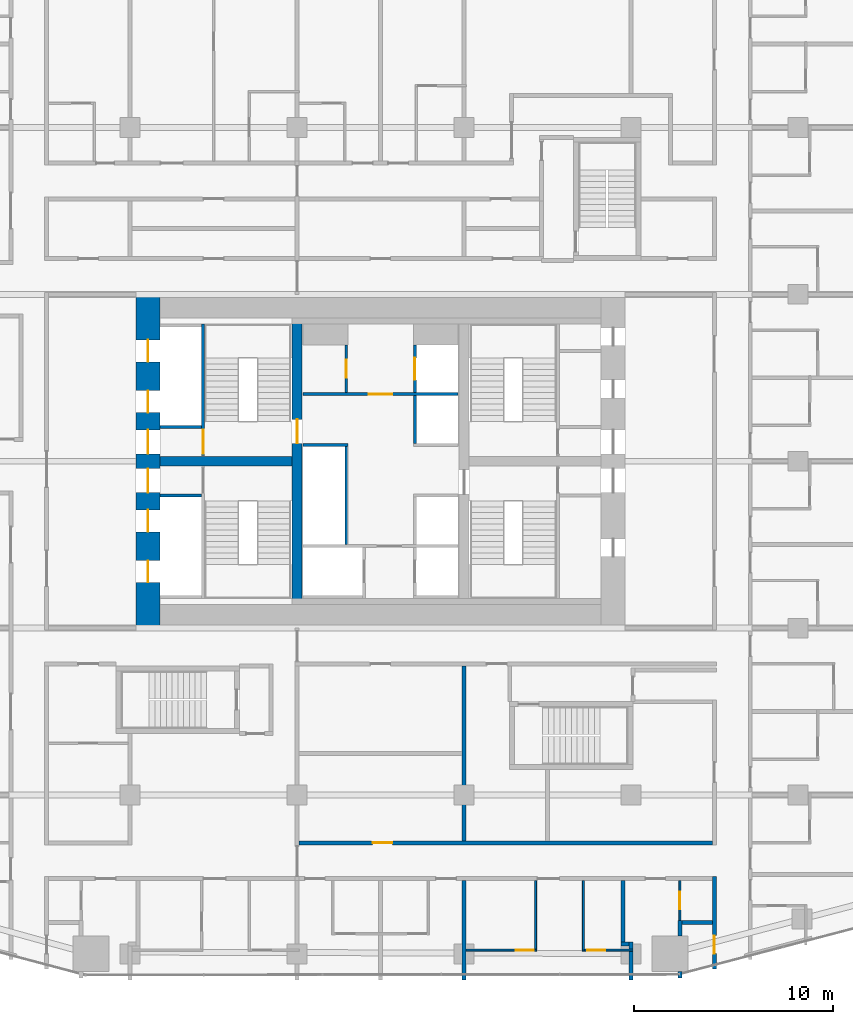
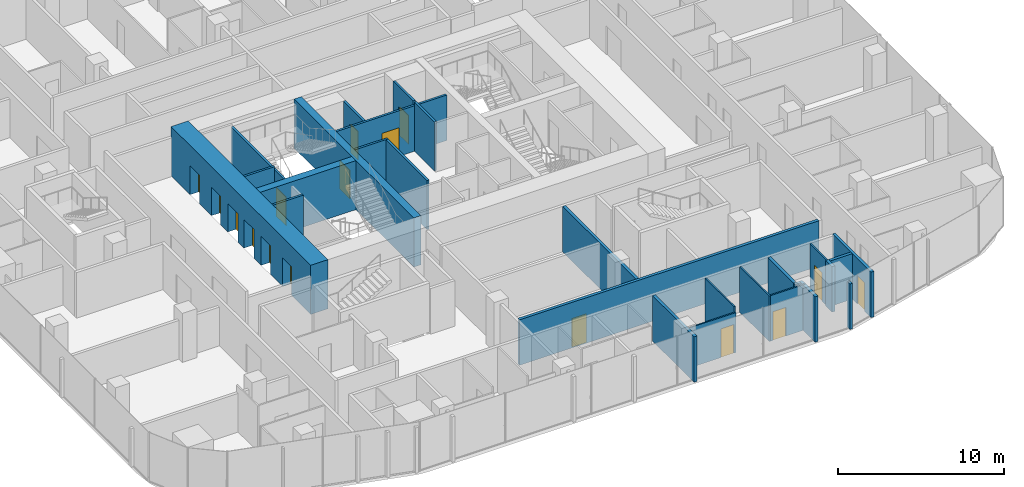
# One storey, part 18 of 26: 27 walls, 16 doors, 16 openings.
"""IFC4 building model written with IfcOpenShell, lengths in metres."""

from ifc_helpers import new_model, si_unit, direction, frame, frame_2d, origin, place, context, subcontext, project, spatial, rectangle, extrude, material, layer, layer_set, type_object, element, fill, save


model = new_model("IFC4")

# Units and contexts
model_context = context("Model", 3, precision=1e-05, world=origin(), true_north=direction((0.0, 1.0)))
body_context = subcontext(model_context, "Body", "Model", "MODEL_VIEW")
ifc_project = project(units=[si_unit("LENGTHUNIT", "METRE"), si_unit("AREAUNIT", "SQUARE_METRE"), si_unit("VOLUMEUNIT", "CUBIC_METRE"), si_unit("PLANEANGLEUNIT", "RADIAN"), si_unit("MASSUNIT", "GRAM", prefix="KILO")], contexts=[model_context])

# Site, building, storey
site_placement = place(None, origin())
site = spatial("IfcSite", under=ifc_project, at=site_placement, CompositionType="ELEMENT")
building_placement = place(site_placement, origin())
building = spatial("IfcBuilding", under=site, at=building_placement, Name="Marenta Gate Hotel Tower", CompositionType="ELEMENT")
storey_placement = place(building_placement, frame((0.0, 0.0, 79.699951171875)))
storey = spatial("IfcBuildingStorey", under=building, at=storey_placement, Name="L18", CompositionType="ELEMENT", Elevation=79.699951171875)

# Wall, opening, door
ifc_material_1 = material(Name="Concrete blockwork", Category="masonry")
ifc_layer_1 = layer(ifc_material_1, 0.14990234375)
ifc_layer_set_1 = layer_set([ifc_layer_1], Name="Concrete blockwork")
wall_type_1 = type_object("IfcWallType", Name="Core lobby partition 150 REI 180", PredefinedType="PARTITIONING", material=ifc_layer_set_1)
wall_1_placement = place(storey_placement, frame((-3.89990234375, 11.77490234375, 0.0), z_axis=(0.0, 0.0, 1.0), x_axis=(1.0, 0.0, 0.0)))
wall_1 = element("IfcWall", 1, at=wall_1_placement, inside=storey, type_object=wall_type_1, Name="L18-CP-CW-N", PredefinedType="PARTITIONING", context=body_context, shape_type="SweptSolid", body=[
    extrude(rectangle(XDim=7.7998046875, YDim=0.14990234375, at=frame_2d((3.89990234375, 0.0))), origin(), (0.0, 0.0, 1.0), 3.340087890625),
])
opening_1_placement = place(wall_1_placement, frame((3.300048828125, 0.0, 0.0)))
opening_1 = element("IfcOpeningElement", 2, at=opening_1_placement, cuts=wall_1, Name="Opening FD-FFN", PredefinedType="OPENING", context=body_context, shape_type="SweptSolid", body=[
    extrude(rectangle(XDim=1.199951171875, YDim=2.10009765625, at=frame_2d((0.60009765625, 1.050048828125))), frame((0.0, 0.074951171875, 0.0), z_axis=(0.0, -1.0, 0.0), x_axis=(1.0, 0.0, 0.0)), (0.0, 0.0, 1.0), 0.14990234375),
])
ifc_material_2 = material(Name="Steel", Category="steel")
door_type_1 = type_object("IfcDoorType", Name="Core lobby door 1200x2100 FD60", OperationType="SINGLE_SWING_LEFT", PredefinedType="DOOR", material=ifc_material_2)
door_1_placement = place(opening_1_placement, origin())
door_1 = element("IfcDoor", 3, at=door_1_placement, inside=storey, type_object=door_type_1, Name="FD-FFN", OperationType="SINGLE_SWING_LEFT", OverallHeight=2.10009765625, OverallWidth=1.199951171875, PredefinedType="DOOR", context=body_context, shape_type="SweptSolid", body=[
    extrude(rectangle(XDim=1.199951171875, YDim=2.10009765625, at=frame_2d((0.60009765625, 1.050048828125))), frame((0.0, 0.02490234375, 0.0), z_axis=(0.0, -1.0, 0.0), x_axis=(1.0, 0.0, 0.0)), (0.0, 0.0, 1.0), 0.050048828125),
])
fill(opening_1, door_1)

ifc_material_3 = material(Name="Concrete blockwork", Category="masonry")
ifc_layer_2 = layer(ifc_material_3, 0.14990234375)
ifc_layer_set_2 = layer_set([ifc_layer_2], Name="Concrete blockwork")
wall_type_2 = type_object("IfcWallType", Name="Core room partition 150 REI 180", PredefinedType="PARTITIONING", material=ifc_layer_set_2)
wall_2_placement = place(storey_placement, frame((-1.72509765625, 11.85009765625, 0.0), z_axis=(0.0, 0.0, 1.0), x_axis=(0.0, 1.0, 0.0)))
wall_2 = element("IfcWall", 4, at=wall_2_placement, inside=storey, type_object=wall_type_2, Name="L18-CP-CW-W-riser-front", PredefinedType="PARTITIONING", context=body_context, shape_type="SweptSolid", body=[
    extrude(rectangle(XDim=2.39990234375, YDim=0.14990234375, at=frame_2d((1.199951171875, 0.0))), origin(), (0.0, 0.0, 1.0), 3.340087890625),
])
opening_2_placement = place(wall_2_placement, frame((0.75, 0.0, 0.0)))
opening_2 = element("IfcOpeningElement", 5, at=opening_2_placement, cuts=wall_2, Name="Opening RD-CRISER", PredefinedType="OPENING", context=body_context, shape_type="SweptSolid", body=[
    extrude(rectangle(XDim=0.89990234375, YDim=2.10009765625, at=frame_2d((0.449951171875, 1.050048828125))), frame((0.0, 0.074951171875, 0.0), z_axis=(0.0, -1.0, 0.0), x_axis=(1.0, 0.0, 0.0)), (0.0, 0.0, 1.0), 0.14990234375),
])
ifc_material_4 = material(Name="Steel", Category="steel")
door_type_2 = type_object("IfcDoorType", Name="Core riser door 900x2100 FD60", OperationType="SINGLE_SWING_LEFT", PredefinedType="DOOR", material=ifc_material_4)
door_2_placement = place(opening_2_placement, origin())
door_2 = element("IfcDoor", 6, at=door_2_placement, inside=storey, type_object=door_type_2, Name="RD-CRISER", OperationType="SINGLE_SWING_LEFT", OverallHeight=2.10009765625, OverallWidth=0.89990234375, PredefinedType="DOOR", context=body_context, shape_type="SweptSolid", body=[
    extrude(rectangle(XDim=0.89990234375, YDim=2.10009765625, at=frame_2d((0.449951171875, 1.050048828125))), frame((0.0, 0.02490234375, 0.0), z_axis=(0.0, -1.0, 0.0), x_axis=(1.0, 0.0, 0.0)), (0.0, 0.0, 1.0), 0.050048828125),
])
fill(opening_2, door_2)

# Walls
ifc_material_5 = material(Name="Concrete C40", Category="concrete")
ifc_layer_3 = layer(ifc_material_5, 0.14990234375)
ifc_layer_set_3 = layer_set([ifc_layer_3], Name="Concrete C40")
wall_type_3 = type_object("IfcWallType", Name="Core shaft wall 150 REI 180", PredefinedType="SHEAR", material=ifc_layer_set_3)
for number, where, z_axis, x_axis, name in (
    (7, (-11.10009765625, 6.675048828125, 0.0), (0.0, 0.0, 1.0), (1.0, 0.0, 0.0), "L18-SHF-SW-WS-2"),
    (8, (-11.10009765625, 10.125, 0.0), (0.0, 0.0, 1.0), (1.0, 0.0, 0.0), "L18-SHF-SW-WN-2"),
):
    element("IfcWall", number, at=place(storey_placement, frame(where, z_axis=z_axis, x_axis=x_axis)), inside=storey, type_object=wall_type_3, Name=name, PredefinedType="SHEAR", context=body_context, shape_type="SweptSolid", body=[
        extrude(rectangle(XDim=2.10009765625, YDim=0.14990234375, at=frame_2d((1.050048828125, 0.0))), origin(), (0.0, 0.0, 1.0), 3.60009765625),
    ])
wall_3_placement = place(storey_placement, frame((-1.72509765625, 4.199951171875, 0.0), z_axis=(0.0, 0.0, 1.0), x_axis=(0.0, 1.0, 0.0)))
element("IfcWall", 9, at=wall_3_placement, inside=storey, type_object=wall_type_3, Name="L18-SHF-CW-W-front", PredefinedType="SHEAR", context=body_context, shape_type="SweptSolid", body=[
    extrude(rectangle(XDim=4.949951171875, YDim=0.14990234375, at=frame_2d((2.47509765625, 0.0))), origin(), (0.0, 0.0, 1.0), 3.60009765625),
])
wall_4_placement = place(storey_placement, frame((-3.89990234375, 9.22509765625, 0.0), z_axis=(0.0, 0.0, 1.0), x_axis=(1.0, 0.0, 0.0)))
element("IfcWall", 10, at=wall_4_placement, inside=storey, type_object=wall_type_3, Name="L18-SHF-CW-W-sep", PredefinedType="SHEAR", context=body_context, shape_type="SweptSolid", body=[
    extrude(rectangle(XDim=2.25, YDim=0.14990234375, at=frame_2d((1.125, 0.0))), origin(), (0.0, 0.0, 1.0), 3.60009765625),
])

# Wall, opening, door
wall_5_placement = place(storey_placement, frame((1.72509765625, 11.85009765625, 0.0), z_axis=(0.0, 0.0, 1.0), x_axis=(0.0, 1.0, 0.0)))
wall_5 = element("IfcWall", 11, at=wall_5_placement, inside=storey, type_object=wall_type_3, Name="L18-SHF-CE-N-front2", PredefinedType="SHEAR", context=body_context, shape_type="SweptSolid", body=[
    extrude(rectangle(XDim=2.39990234375, YDim=0.14990234375, at=frame_2d((1.199951171875, 0.0))), origin(), (0.0, 0.0, 1.0), 3.60009765625),
])
opening_3_placement = place(wall_5_placement, frame((0.64990234375, 0.0, 0.0)))
opening_3 = element("IfcOpeningElement", 12, at=opening_3_placement, cuts=wall_5, Name="Opening LD-FF2", PredefinedType="OPENING", context=body_context, shape_type="SweptSolid", body=[
    extrude(rectangle(XDim=1.10009765625, YDim=2.10009765625, at=frame_2d((0.550048828125, 1.050048828125))), frame((0.0, 0.074951171875, 0.0), z_axis=(0.0, -1.0, 0.0), x_axis=(1.0, 0.0, 0.0)), (0.0, 0.0, 1.0), 0.14990234375),
])
ifc_material_6 = material(Name="Steel", Category="steel")
door_type_3 = type_object("IfcDoorType", Name="Core lift landing door 1100x2100 E 60", OperationType="SLIDING_TO_LEFT", PredefinedType="DOOR", material=ifc_material_6)
door_3_placement = place(opening_3_placement, origin())
door_3 = element("IfcDoor", 13, at=door_3_placement, inside=storey, type_object=door_type_3, Name="LD-FF2", OperationType="SLIDING_TO_LEFT", OverallHeight=2.10009765625, OverallWidth=1.10009765625, PredefinedType="DOOR", context=body_context, shape_type="SweptSolid", body=[
    extrude(rectangle(XDim=1.10009765625, YDim=2.10009765625, at=frame_2d((0.550048828125, 1.050048828125))), frame((0.0, 0.02490234375, 0.0), z_axis=(0.0, -1.0, 0.0), x_axis=(1.0, 0.0, 0.0)), (0.0, 0.0, 1.0), 0.050048828125),
])
fill(opening_3, door_3)

# Wall
wall_6_placement = place(storey_placement, frame((1.72509765625, 9.300048828125, 0.0), z_axis=(0.0, 0.0, 1.0), x_axis=(0.0, 1.0, 0.0)))
element("IfcWall", 14, at=wall_6_placement, inside=storey, type_object=wall_type_3, Name="L18-SHF-CE-front-2", PredefinedType="SHEAR", context=body_context, shape_type="SweptSolid", body=[
    extrude(rectangle(XDim=2.39990234375, YDim=0.14990234375, at=frame_2d((1.199951171875, 0.0))), origin(), (0.0, 0.0, 1.0), 3.60009765625),
])

# Wall, opening, door
ifc_material_7 = material(Name="Concrete C40", Category="concrete")
ifc_layer_4 = layer(ifc_material_7, 0.14990234375)
ifc_layer_set_4 = layer_set([ifc_layer_4], Name="Concrete C40")
wall_type_4 = type_object("IfcWallType", Name="Core stair enclosure wall 150 REI 180", PredefinedType="SHEAR", material=ifc_layer_set_4)
wall_7_placement = place(storey_placement, frame((-8.925048828125, 8.699951171875, 0.0), z_axis=(0.0, 0.0, 1.0), x_axis=(0.0, 1.0, 0.0)))
wall_7 = element("IfcWall", 15, at=wall_7_placement, inside=storey, type_object=wall_type_4, Name="L18-SHF-SW-WN-3", PredefinedType="SHEAR", context=body_context, shape_type="SweptSolid", body=[
    extrude(rectangle(XDim=6.60009765625, YDim=0.14990234375, at=frame_2d((3.300048828125, 0.0))), origin(), (0.0, 0.0, 1.0), 3.340087890625),
])
opening_4_placement = place(wall_7_placement, frame((0.074951171875, 0.0, 0.0)))
opening_4 = element("IfcOpeningElement", 16, at=opening_4_placement, cuts=wall_7, Name="Opening SD-WN", PredefinedType="OPENING", context=body_context, shape_type="SweptSolid", body=[
    extrude(rectangle(XDim=1.199951171875, YDim=2.10009765625, at=frame_2d((0.60009765625, 1.050048828125))), frame((0.0, 0.074951171875, 0.0), z_axis=(0.0, -1.0, 0.0), x_axis=(1.0, 0.0, 0.0)), (0.0, 0.0, 1.0), 0.14990234375),
])
ifc_material_8 = material(Name="Steel", Category="steel")
door_type_4 = type_object("IfcDoorType", Name="Core stair door 1200x2100 FD60", OperationType="SINGLE_SWING_LEFT", PredefinedType="DOOR", material=ifc_material_8)
door_4_placement = place(opening_4_placement, origin())
door_4 = element("IfcDoor", 17, at=door_4_placement, inside=storey, type_object=door_type_4, Name="SD-WN", OperationType="SINGLE_SWING_LEFT", OverallHeight=2.10009765625, OverallWidth=1.199951171875, PredefinedType="DOOR", context=body_context, shape_type="SweptSolid", body=[
    extrude(rectangle(XDim=1.199951171875, YDim=2.10009765625, at=frame_2d((0.60009765625, 1.050048828125))), frame((0.0, 0.02490234375, 0.0), z_axis=(0.0, -1.0, 0.0), x_axis=(1.0, 0.0, 0.0)), (0.0, 0.0, 1.0), 0.050048828125),
])
fill(opening_4, door_4)

# Wall, openings, doors
ifc_material_9 = material(Name="Concrete C80", Category="concrete")
ifc_layer_5 = layer(ifc_material_9, 1.199951171875)
ifc_layer_set_5 = layer_set([ifc_layer_5], Name="Concrete C80")
wall_type_5 = type_object("IfcWallType", Name="Core wall 1200 C80", PredefinedType="SHEAR", material=ifc_layer_set_5)
wall_8_placement = place(storey_placement, frame((-11.699951171875, 0.0, 0.0), z_axis=(0.0, 0.0, 1.0), x_axis=(0.0, 1.0, 0.0)))
wall_8 = element("IfcWall", 18, at=wall_8_placement, inside=storey, type_object=wall_type_5, Name="L18-CORE-W", PredefinedType="SHEAR", context=body_context, shape_type="SweptSolid", body=[
    extrude(rectangle(XDim=16.800048828125, YDim=1.199951171875, at=frame_2d((8.39990234375, 0.0))), origin(), (0.0, 0.0, 1.0), 3.60009765625),
])
opening_5_placement = place(wall_8_placement, frame((2.300048828125, 0.0, 0.0)))
opening_5 = element("IfcOpeningElement", 19, at=opening_5_placement, cuts=wall_8, Name="Opening LD-LR1", PredefinedType="OPENING", context=body_context, shape_type="SweptSolid", body=[
    extrude(rectangle(XDim=1.10009765625, YDim=2.10009765625, at=frame_2d((0.550048828125, 1.050048828125))), frame((0.0, 0.60009765625, 0.0), z_axis=(0.0, -1.0, 0.0), x_axis=(1.0, 0.0, 0.0)), (0.0, 0.0, 1.0), 1.199951171875),
])
opening_6_placement = place(wall_8_placement, frame((4.85009765625, 0.0, 0.0)))
opening_6 = element("IfcOpeningElement", 20, at=opening_6_placement, cuts=wall_8, Name="Opening LD-LR2", PredefinedType="OPENING", context=body_context, shape_type="SweptSolid", body=[
    extrude(rectangle(XDim=1.10009765625, YDim=2.10009765625, at=frame_2d((0.550048828125, 1.050048828125))), frame((0.0, 0.60009765625, 0.0), z_axis=(0.0, -1.0, 0.0), x_axis=(1.0, 0.0, 0.0)), (0.0, 0.0, 1.0), 1.199951171875),
])
opening_7_placement = place(wall_8_placement, frame((6.824951171875, 0.0, 0.0)))
opening_7 = element("IfcOpeningElement", 21, at=opening_7_placement, cuts=wall_8, Name="Opening PD-WS", PredefinedType="OPENING", context=body_context, shape_type="SweptSolid", body=[
    extrude(rectangle(XDim=1.199951171875, YDim=2.10009765625, at=frame_2d((0.60009765625, 1.050048828125))), frame((0.0, 0.60009765625, 0.0), z_axis=(0.0, -1.0, 0.0), x_axis=(1.0, 0.0, 0.0)), (0.0, 0.0, 1.0), 1.199951171875),
])
opening_8_placement = place(wall_8_placement, frame((13.39990234375, 0.0, 0.0)))
opening_8 = element("IfcOpeningElement", 22, at=opening_8_placement, cuts=wall_8, Name="Opening LD-LR4", PredefinedType="OPENING", context=body_context, shape_type="SweptSolid", body=[
    extrude(rectangle(XDim=1.10009765625, YDim=2.10009765625, at=frame_2d((0.550048828125, 1.050048828125))), frame((0.0, 0.60009765625, 0.0), z_axis=(0.0, -1.0, 0.0), x_axis=(1.0, 0.0, 0.0)), (0.0, 0.0, 1.0), 1.199951171875),
])
opening_9_placement = place(wall_8_placement, frame((10.85009765625, 0.0, 0.0)))
opening_9 = element("IfcOpeningElement", 23, at=opening_9_placement, cuts=wall_8, Name="Opening LD-LR3", PredefinedType="OPENING", context=body_context, shape_type="SweptSolid", body=[
    extrude(rectangle(XDim=1.10009765625, YDim=2.10009765625, at=frame_2d((0.550048828125, 1.050048828125))), frame((0.0, 0.60009765625, 0.0), z_axis=(0.0, -1.0, 0.0), x_axis=(1.0, 0.0, 0.0)), (0.0, 0.0, 1.0), 1.199951171875),
])
opening_10_placement = place(wall_8_placement, frame((8.77490234375, 0.0, 0.0)))
opening_10 = element("IfcOpeningElement", 24, at=opening_10_placement, cuts=wall_8, Name="Opening PD-WN", PredefinedType="OPENING", context=body_context, shape_type="SweptSolid", body=[
    extrude(rectangle(XDim=1.199951171875, YDim=2.10009765625, at=frame_2d((0.60009765625, 1.050048828125))), frame((0.0, 0.60009765625, 0.0), z_axis=(0.0, -1.0, 0.0), x_axis=(1.0, 0.0, 0.0)), (0.0, 0.0, 1.0), 1.199951171875),
])
door_5_placement = place(opening_5_placement, origin())
door_5 = element("IfcDoor", 25, at=door_5_placement, inside=storey, type_object=door_type_3, Name="LD-LR1", OperationType="SLIDING_TO_LEFT", OverallHeight=2.10009765625, OverallWidth=1.10009765625, PredefinedType="DOOR", context=body_context, shape_type="SweptSolid", body=[
    extrude(rectangle(XDim=1.10009765625, YDim=2.10009765625, at=frame_2d((0.550048828125, 1.050048828125))), frame((0.0, 0.02490234375, 0.0), z_axis=(0.0, -1.0, 0.0), x_axis=(1.0, 0.0, 0.0)), (0.0, 0.0, 1.0), 0.050048828125),
])
fill(opening_5, door_5)
door_6_placement = place(opening_6_placement, origin())
door_6 = element("IfcDoor", 26, at=door_6_placement, inside=storey, type_object=door_type_3, Name="LD-LR2", OperationType="SLIDING_TO_LEFT", OverallHeight=2.10009765625, OverallWidth=1.10009765625, PredefinedType="DOOR", context=body_context, shape_type="SweptSolid", body=[
    extrude(rectangle(XDim=1.10009765625, YDim=2.10009765625, at=frame_2d((0.550048828125, 1.050048828125))), frame((0.0, 0.02490234375, 0.0), z_axis=(0.0, -1.0, 0.0), x_axis=(1.0, 0.0, 0.0)), (0.0, 0.0, 1.0), 0.050048828125),
])
fill(opening_6, door_6)
door_7_placement = place(opening_8_placement, origin())
door_7 = element("IfcDoor", 27, at=door_7_placement, inside=storey, type_object=door_type_3, Name="LD-LR4", OperationType="SLIDING_TO_LEFT", OverallHeight=2.10009765625, OverallWidth=1.10009765625, PredefinedType="DOOR", context=body_context, shape_type="SweptSolid", body=[
    extrude(rectangle(XDim=1.10009765625, YDim=2.10009765625, at=frame_2d((0.550048828125, 1.050048828125))), frame((0.0, 0.02490234375, 0.0), z_axis=(0.0, -1.0, 0.0), x_axis=(1.0, 0.0, 0.0)), (0.0, 0.0, 1.0), 0.050048828125),
])
fill(opening_8, door_7)
door_8_placement = place(opening_9_placement, origin())
door_8 = element("IfcDoor", 28, at=door_8_placement, inside=storey, type_object=door_type_3, Name="LD-LR3", OperationType="SLIDING_TO_LEFT", OverallHeight=2.10009765625, OverallWidth=1.10009765625, PredefinedType="DOOR", context=body_context, shape_type="SweptSolid", body=[
    extrude(rectangle(XDim=1.10009765625, YDim=2.10009765625, at=frame_2d((0.550048828125, 1.050048828125))), frame((0.0, 0.02490234375, 0.0), z_axis=(0.0, -1.0, 0.0), x_axis=(1.0, 0.0, 0.0)), (0.0, 0.0, 1.0), 0.050048828125),
])
fill(opening_9, door_8)
door_9_placement = place(opening_7_placement, origin())
door_9 = element("IfcDoor", 29, at=door_9_placement, inside=storey, type_object=door_type_1, Name="PD-WS", OperationType="SINGLE_SWING_LEFT", OverallHeight=2.10009765625, OverallWidth=1.199951171875, PredefinedType="DOOR", context=body_context, shape_type="SweptSolid", body=[
    extrude(rectangle(XDim=1.199951171875, YDim=2.10009765625, at=frame_2d((0.60009765625, 1.050048828125))), frame((0.0, 0.02490234375, 0.0), z_axis=(0.0, -1.0, 0.0), x_axis=(1.0, 0.0, 0.0)), (0.0, 0.0, 1.0), 0.050048828125),
])
fill(opening_7, door_9)
door_10_placement = place(opening_10_placement, origin())
door_10 = element("IfcDoor", 30, at=door_10_placement, inside=storey, type_object=door_type_1, Name="PD-WN", OperationType="SINGLE_SWING_LEFT", OverallHeight=2.10009765625, OverallWidth=1.199951171875, PredefinedType="DOOR", context=body_context, shape_type="SweptSolid", body=[
    extrude(rectangle(XDim=1.199951171875, YDim=2.10009765625, at=frame_2d((0.60009765625, 1.050048828125))), frame((0.0, 0.02490234375, 0.0), z_axis=(0.0, -1.0, 0.0), x_axis=(1.0, 0.0, 0.0)), (0.0, 0.0, 1.0), 0.050048828125),
])
fill(opening_10, door_10)

# Wall, opening, door
ifc_material_10 = material(Name="Concrete C80", Category="concrete")
ifc_layer_6 = layer(ifc_material_10, 0.5)
ifc_layer_set_6 = layer_set([ifc_layer_6], Name="Concrete C80")
wall_type_6 = type_object("IfcWallType", Name="Core web 500 C80", PredefinedType="SHEAR", material=ifc_layer_set_6)
wall_9_placement = place(storey_placement, frame((-4.199951171875, 1.199951171875, 0.0), z_axis=(0.0, 0.0, 1.0), x_axis=(0.0, 1.0, 0.0)))
wall_9 = element("IfcWall", 31, at=wall_9_placement, inside=storey, type_object=wall_type_6, Name="L18-CORE-W1", PredefinedType="SHEAR", context=body_context, shape_type="SweptSolid", body=[
    extrude(rectangle(XDim=14.400146484375, YDim=0.5, at=frame_2d((7.2001953125, 0.0))), origin(), (0.0, 0.0, 1.0), 3.60009765625),
])
opening_11_placement = place(wall_9_placement, frame((8.10009765625, 0.0, 0.0)))
opening_11 = element("IfcOpeningElement", 32, at=opening_11_placement, cuts=wall_9, Name="Opening WD-W", PredefinedType="OPENING", context=body_context, shape_type="SweptSolid", body=[
    extrude(rectangle(XDim=1.199951171875, YDim=2.10009765625, at=frame_2d((0.60009765625, 1.050048828125))), frame((0.0, 0.25, 0.0), z_axis=(0.0, -1.0, 0.0), x_axis=(1.0, 0.0, 0.0)), (0.0, 0.0, 1.0), 0.5),
])
door_11_placement = place(opening_11_placement, origin())
door_11 = element("IfcDoor", 33, at=door_11_placement, inside=storey, type_object=door_type_4, Name="WD-W", OperationType="SINGLE_SWING_LEFT", OverallHeight=2.10009765625, OverallWidth=1.199951171875, PredefinedType="DOOR", context=body_context, shape_type="SweptSolid", body=[
    extrude(rectangle(XDim=1.199951171875, YDim=2.10009765625, at=frame_2d((0.60009765625, 1.050048828125))), frame((0.0, 0.02490234375, 0.0), z_axis=(0.0, -1.0, 0.0), x_axis=(1.0, 0.0, 0.0)), (0.0, 0.0, 1.0), 0.050048828125),
])
fill(opening_11, door_11)

# Wall
wall_10_placement = place(storey_placement, frame((-11.10009765625, 8.39990234375, 0.0), z_axis=(0.0, 0.0, 1.0), x_axis=(1.0, 0.0, 0.0)))
element("IfcWall", 34, at=wall_10_placement, inside=storey, type_object=wall_type_6, Name="L18-CORE-W3", PredefinedType="SHEAR", context=body_context, shape_type="SweptSolid", body=[
    extrude(rectangle(XDim=6.650146484375, YDim=0.5, at=frame_2d((3.3251953125, 0.0))), origin(), (0.0, 0.0, 1.0), 3.60009765625),
])

# Wall, opening, door
ifc_material_11 = material(Name="Concrete blockwork", Category="masonry")
ifc_layer_7 = layer(ifc_material_11, 0.199951171875)
ifc_layer_set_7 = layer_set([ifc_layer_7], Name="Concrete blockwork")
wall_type_7 = type_object("IfcWallType", Name="Room corridor wall 200 EI 120", PredefinedType="PARTITIONING", material=ifc_layer_set_7)
wall_11_placement = place(storey_placement, frame((16.800048828125, -17.14306640625, 0.0), z_axis=(0.0, 0.0, 1.0), x_axis=(0.0, 1.0, 0.0)))
wall_11 = element("IfcWall", 35, at=wall_11_placement, inside=storey, type_object=wall_type_7, Name="L18-PTN-W016", PredefinedType="PARTITIONING", context=body_context, shape_type="SweptSolid", body=[
    extrude(rectangle(XDim=4.64306640625, YDim=0.199951171875, at=frame_2d((2.321533203125, 0.0))), origin(), (0.0, 0.0, 1.0), 3.340087890625),
])
opening_12_placement = place(wall_11_placement, frame((0.77099609375, 0.0, 0.0)))
opening_12 = element("IfcOpeningElement", 36, at=opening_12_placement, cuts=wall_11, Name="Opening G07-81", PredefinedType="OPENING", context=body_context, shape_type="SweptSolid", body=[
    extrude(rectangle(XDim=0.89990234375, YDim=2.10009765625, at=frame_2d((0.449951171875, 1.050048828125))), frame((0.0, 0.10009765625, 0.0), z_axis=(0.0, -1.0, 0.0), x_axis=(1.0, 0.0, 0.0)), (0.0, 0.0, 1.0), 0.199951171875),
])
ifc_material_12 = material(Name="Hollow steel door set", Category="steel")
door_type_5 = type_object("IfcDoorType", Name="Room service door 900x2100 EI 60", OperationType="NOTDEFINED", PredefinedType="DOOR", material=ifc_material_12)
door_12_placement = place(opening_12_placement, origin())
door_12 = element("IfcDoor", 37, at=door_12_placement, inside=storey, type_object=door_type_5, Name="L18-PD-D081", OperationType="SINGLE_SWING_RIGHT", OverallHeight=2.10009765625, OverallWidth=0.89990234375, PredefinedType="DOOR", context=body_context, shape_type="SweptSolid", body=[
    extrude(rectangle(XDim=0.89990234375, YDim=2.10009765625, at=frame_2d((0.449951171875, 1.050048828125))), frame((0.0, 0.02490234375, 0.0), z_axis=(0.0, -1.0, 0.0), x_axis=(1.0, 0.0, 0.0)), (0.0, 0.0, 1.0), 0.050048828125),
])
fill(opening_12, door_12)

ifc_material_13 = material(Name="Gypsum board on steel stud", Category="steel")
ifc_layer_8 = layer(ifc_material_13, 0.199951171875)
ifc_layer_set_8 = layer_set([ifc_layer_8], Name="Gypsum board on steel stud")
wall_type_8 = type_object("IfcWallType", Name="Room corridor wall 200 EI 60", PredefinedType="PARTITIONING", material=ifc_layer_set_8)
wall_12_placement = place(storey_placement, frame((-4.10009765625, -10.800048828125, 0.0), z_axis=(0.0, 0.0, 1.0), x_axis=(1.0, 0.0, 0.0)))
wall_12 = element("IfcWall", 38, at=wall_12_placement, inside=storey, type_object=wall_type_8, Name="L18-PTN-W043", PredefinedType="PARTITIONING", context=body_context, shape_type="SweptSolid", body=[
    extrude(rectangle(XDim=20.800048828125, YDim=0.199951171875, at=frame_2d((10.39990234375, 0.0))), origin(), (0.0, 0.0, 1.0), 3.340087890625),
])
opening_13_placement = place(wall_12_placement, frame((3.699951171875, 0.0, 0.0)))
opening_13 = element("IfcOpeningElement", 39, at=opening_13_placement, cuts=wall_12, Name="Opening G07-70", PredefinedType="OPENING", context=body_context, shape_type="SweptSolid", body=[
    extrude(rectangle(XDim=1.0, YDim=2.10009765625, at=frame_2d((0.5, 1.050048828125))), frame((0.0, 0.10009765625, 0.0), z_axis=(0.0, -1.0, 0.0), x_axis=(1.0, 0.0, 0.0)), (0.0, 0.0, 1.0), 0.199951171875),
])
ifc_material_14 = material(Name="Timber door leaf", Category="wood")
door_type_6 = type_object("IfcDoorType", Name="Room amenity door 1000x2100 EI 30", OperationType="NOTDEFINED", PredefinedType="DOOR", material=ifc_material_14)
door_13_placement = place(opening_13_placement, origin())
door_13 = element("IfcDoor", 40, at=door_13_placement, inside=storey, type_object=door_type_6, Name="L18-PD-D070", OperationType="SINGLE_SWING_RIGHT", OverallHeight=2.10009765625, OverallWidth=1.0, PredefinedType="DOOR", context=body_context, shape_type="SweptSolid", body=[
    extrude(rectangle(XDim=1.0, YDim=2.10009765625, at=frame_2d((0.5, 1.050048828125))), frame((0.0, 0.02490234375, 0.0), z_axis=(0.0, -1.0, 0.0), x_axis=(1.0, 0.0, 0.0)), (0.0, 0.0, 1.0), 0.050048828125),
])
fill(opening_13, door_13)

ifc_material_15 = material(Name="Gypsum board on steel stud", Category="steel")
ifc_layer_9 = layer(ifc_material_15, 0.10009765625)
ifc_layer_set_9 = layer_set([ifc_layer_9], Name="Gypsum board on steel stud")
wall_type_9 = type_object("IfcWallType", Name="Room partition 100", PredefinedType="PARTITIONING", material=ifc_layer_set_9)
wall_13_placement = place(storey_placement, frame((4.300048828125, -16.199951171875, 0.0), z_axis=(0.0, 0.0, 1.0), x_axis=(1.0, 0.0, 0.0)))
wall_13 = element("IfcWall", 41, at=wall_13_placement, inside=storey, type_object=wall_type_9, Name="L18-PTN-W022", PredefinedType="PARTITIONING", context=body_context, shape_type="SweptSolid", body=[
    extrude(rectangle(XDim=3.550048828125, YDim=0.10009765625, at=frame_2d((1.77490234375, 0.0))), origin(), (0.0, 0.0, 1.0), 2.93994140625),
])
opening_14_placement = place(wall_13_placement, frame((2.5, 0.0, 0.0)))
opening_14 = element("IfcOpeningElement", 42, at=opening_14_placement, cuts=wall_13, Name="Opening G07-49", PredefinedType="OPENING", context=body_context, shape_type="SweptSolid", body=[
    extrude(rectangle(XDim=0.89990234375, YDim=2.10009765625, at=frame_2d((0.449951171875, 1.050048828125))), frame((0.0, 0.050048828125, 0.0), z_axis=(0.0, -1.0, 0.0), x_axis=(1.0, 0.0, 0.0)), (0.0, 0.0, 1.0), 0.10009765625),
])
ifc_material_16 = material(Name="Timber door leaf", Category="wood")
door_type_7 = type_object("IfcDoorType", Name="Guest bathroom door 900x2100", OperationType="NOTDEFINED", PredefinedType="DOOR", material=ifc_material_16)
door_14_placement = place(opening_14_placement, origin())
door_14 = element("IfcDoor", 43, at=door_14_placement, inside=storey, type_object=door_type_7, Name="L18-PD-D049", OperationType="SINGLE_SWING_RIGHT", OverallHeight=2.10009765625, OverallWidth=0.89990234375, PredefinedType="DOOR", context=body_context, shape_type="SweptSolid", body=[
    extrude(rectangle(XDim=0.89990234375, YDim=2.10009765625, at=frame_2d((0.449951171875, 1.050048828125))), frame((0.0, 0.02490234375, 0.0), z_axis=(0.0, -1.0, 0.0), x_axis=(1.0, 0.0, 0.0)), (0.0, 0.0, 1.0), 0.050048828125),
])
fill(opening_14, door_14)

wall_14_placement = place(storey_placement, frame((10.25, -16.199951171875, 0.0), z_axis=(0.0, 0.0, 1.0), x_axis=(1.0, 0.0, 0.0)))
wall_14 = element("IfcWall", 44, at=wall_14_placement, inside=storey, type_object=wall_type_9, Name="L18-PTN-W023", PredefinedType="PARTITIONING", context=body_context, shape_type="SweptSolid", body=[
    extrude(rectangle(XDim=2.449951171875, YDim=0.10009765625, at=frame_2d((1.22509765625, 0.0))), origin(), (0.0, 0.0, 1.0), 3.340087890625),
])
opening_15_placement = place(wall_14_placement, frame((0.14990234375, 0.0, 0.0)))
opening_15 = element("IfcOpeningElement", 45, at=opening_15_placement, cuts=wall_14, Name="Opening G07-50", PredefinedType="OPENING", context=body_context, shape_type="SweptSolid", body=[
    extrude(rectangle(XDim=0.89990234375, YDim=2.10009765625, at=frame_2d((0.449951171875, 1.050048828125))), frame((0.0, 0.050048828125, 0.0), z_axis=(0.0, -1.0, 0.0), x_axis=(1.0, 0.0, 0.0)), (0.0, 0.0, 1.0), 0.10009765625),
])
ifc_material_17 = material(Name="Timber door leaf", Category="wood")
door_type_8 = type_object("IfcDoorType", Name="Room inner door 900x2100", OperationType="NOTDEFINED", PredefinedType="DOOR", material=ifc_material_17)
door_15_placement = place(opening_15_placement, origin())
door_15 = element("IfcDoor", 46, at=door_15_placement, inside=storey, type_object=door_type_8, Name="L18-PD-D050", OperationType="SINGLE_SWING_LEFT", OverallHeight=2.10009765625, OverallWidth=0.89990234375, PredefinedType="DOOR", context=body_context, shape_type="SweptSolid", body=[
    extrude(rectangle(XDim=0.89990234375, YDim=2.10009765625, at=frame_2d((0.449951171875, 1.050048828125))), frame((0.0, 0.02490234375, 0.0), z_axis=(0.0, -1.0, 0.0), x_axis=(1.0, 0.0, 0.0)), (0.0, 0.0, 1.0), 0.050048828125),
])
fill(opening_15, door_15)

wall_15_placement = place(storey_placement, frame((15.06591796875, -14.89990234375, 0.0), z_axis=(0.0, 0.0, 1.0), x_axis=(0.0, 1.0, 0.0)))
wall_15 = element("IfcWall", 47, at=wall_15_placement, inside=storey, type_object=wall_type_9, Name="L18-PTN-W028", PredefinedType="PARTITIONING", context=body_context, shape_type="SweptSolid", body=[
    extrude(rectangle(XDim=2.199951171875, YDim=0.10009765625, at=frame_2d((1.10009765625, 0.0))), origin(), (0.0, 0.0, 1.0), 3.340087890625),
])
opening_16_placement = place(wall_15_placement, frame((0.75, 0.0, 0.0)))
opening_16 = element("IfcOpeningElement", 48, at=opening_16_placement, cuts=wall_15, Name="Opening G07-80", PredefinedType="OPENING", context=body_context, shape_type="SweptSolid", body=[
    extrude(rectangle(XDim=0.89990234375, YDim=2.10009765625, at=frame_2d((0.449951171875, 1.050048828125))), frame((0.0, 0.050048828125, 0.0), z_axis=(0.0, -1.0, 0.0), x_axis=(1.0, 0.0, 0.0)), (0.0, 0.0, 1.0), 0.10009765625),
])
door_16_placement = place(opening_16_placement, origin())
door_16 = element("IfcDoor", 49, at=door_16_placement, inside=storey, type_object=door_type_7, Name="L18-PD-D080", OperationType="SINGLE_SWING_RIGHT", OverallHeight=2.10009765625, OverallWidth=0.89990234375, PredefinedType="DOOR", context=body_context, shape_type="SweptSolid", body=[
    extrude(rectangle(XDim=0.89990234375, YDim=2.10009765625, at=frame_2d((0.449951171875, 1.050048828125))), frame((0.0, 0.02490234375, 0.0), z_axis=(0.0, -1.0, 0.0), x_axis=(1.0, 0.0, 0.0)), (0.0, 0.0, 1.0), 0.050048828125),
])
fill(opening_16, door_16)

# Walls
wall_16_placement = place(storey_placement, frame((10.199951171875, -16.25, 0.0), z_axis=(0.0, 0.0, 1.0), x_axis=(0.0, 1.0, 0.0)))
element("IfcWall", 50, at=wall_16_placement, inside=storey, type_object=wall_type_9, Name="L18-PTN-W044", PredefinedType="PARTITIONING", context=body_context, shape_type="SweptSolid", body=[
    extrude(rectangle(XDim=3.550048828125, YDim=0.10009765625, at=frame_2d((1.77490234375, 0.0))), origin(), (0.0, 0.0, 1.0), 3.340087890625),
])
wall_17_placement = place(storey_placement, frame((7.800048828125, -16.14990234375, 0.0), z_axis=(0.0, 0.0, 1.0), x_axis=(0.0, 1.0, 0.0)))
element("IfcWall", 51, at=wall_17_placement, inside=storey, type_object=wall_type_9, Name="L18-PTN-W050", PredefinedType="PARTITIONING", context=body_context, shape_type="SweptSolid", body=[
    extrude(rectangle(XDim=3.449951171875, YDim=0.10009765625, at=frame_2d((1.72509765625, 0.0))), origin(), (0.0, 0.0, 1.0), 3.340087890625),
])
ifc_material_18 = material(Name="Concrete blockwork", Category="masonry")
ifc_layer_10 = layer(ifc_material_18, 0.199951171875)
ifc_layer_set_10 = layer_set([ifc_layer_10], Name="Concrete blockwork")
wall_type_10 = type_object("IfcWallType", Name="Room party wall 200 EI 120", PredefinedType="PARTITIONING", material=ifc_layer_set_10)
wall_18_placement = place(storey_placement, frame((15.06591796875, -17.593017578125, 0.0), z_axis=(0.0, 0.0, 1.0), x_axis=(0.0, 1.0, 0.0)))
element("IfcWall", 52, at=wall_18_placement, inside=storey, type_object=wall_type_10, Name="L18-PTN-W027", PredefinedType="PARTITIONING", context=body_context, shape_type="SweptSolid", body=[
    extrude(rectangle(XDim=0.318115234375, YDim=0.199951171875, at=frame_2d((0.1591796875, 0.0))), origin(), (0.0, 0.0, 1.0), 3.340087890625),
])
wall_19_placement = place(storey_placement, frame((15.06591796875, -15.47509765625, 0.0), z_axis=(0.0, 0.0, 1.0), x_axis=(0.0, 1.0, 0.0)))
element("IfcWall", 53, at=wall_19_placement, inside=storey, type_object=wall_type_10, Name="L18-PTN-W150", PredefinedType="PARTITIONING", context=body_context, shape_type="SweptSolid", body=[
    extrude(rectangle(XDim=0.775146484375, YDim=0.199951171875, at=frame_2d((0.3876953125, 0.0))), origin(), (0.0, 0.0, 1.0), 3.340087890625),
])
wall_20_placement = place(storey_placement, frame((15.115966796875, -14.800048828125, 0.0), z_axis=(0.0, 0.0, 1.0), x_axis=(1.0, 0.0, 0.0)))
element("IfcWall", 54, at=wall_20_placement, inside=storey, type_object=wall_type_10, Name="L18-PTN-W030", PredefinedType="PARTITIONING", context=body_context, shape_type="SweptSolid", body=[
    extrude(rectangle(XDim=1.583984375, YDim=0.199951171875, at=frame_2d((0.7919921875, 0.0))), origin(), (0.0, 0.0, 1.0), 3.340087890625),
])
ifc_material_19 = material(Name="Gypsum board on steel stud", Category="steel")
ifc_layer_11 = layer(ifc_material_19, 0.199951171875)
ifc_layer_set_11 = layer_set([ifc_layer_11], Name="Gypsum board on steel stud")
wall_type_11 = type_object("IfcWallType", Name="Room party wall 200 EI 60", PredefinedType="PARTITIONING", material=ifc_layer_set_11)
wall_21_placement = place(storey_placement, frame((12.10009765625, -15.89990234375, 0.0), z_axis=(0.0, 0.0, 1.0), x_axis=(1.0, 0.0, 0.0)))
element("IfcWall", 55, at=wall_21_placement, inside=storey, type_object=wall_type_11, Name="L18-PTN-W025", PredefinedType="PARTITIONING", context=body_context, shape_type="SweptSolid", body=[
    extrude(rectangle(XDim=0.39990234375, YDim=0.199951171875, at=frame_2d((0.199951171875, 0.0))), origin(), (0.0, 0.0, 1.0), 3.340087890625),
])
wall_22_placement = place(storey_placement, frame((12.60009765625, -17.699951171875, 0.0), z_axis=(0.0, 0.0, 1.0), x_axis=(0.0, 1.0, 0.0)))
element("IfcWall", 56, at=wall_22_placement, inside=storey, type_object=wall_type_11, Name="L18-PTN-W035", PredefinedType="PARTITIONING", context=body_context, shape_type="SweptSolid", body=[
    extrude(rectangle(XDim=1.89990234375, YDim=0.199951171875, at=frame_2d((0.949951171875, 0.0))), origin(), (0.0, 0.0, 1.0), 3.340087890625),
])
wall_23_placement = place(storey_placement, frame((12.199951171875, -15.800048828125, 0.0), z_axis=(0.0, 0.0, 1.0), x_axis=(0.0, 1.0, 0.0)))
element("IfcWall", 57, at=wall_23_placement, inside=storey, type_object=wall_type_11, Name="L18-PTN-W039", PredefinedType="PARTITIONING", context=body_context, shape_type="SweptSolid", body=[
    extrude(rectangle(XDim=3.10009765625, YDim=0.199951171875, at=frame_2d((1.550048828125, 0.0))), origin(), (0.0, 0.0, 1.0), 3.340087890625),
])
wall_24_placement = place(storey_placement, frame((4.199951171875, -17.699951171875, 0.0), z_axis=(0.0, 0.0, 1.0), x_axis=(0.0, 1.0, 0.0)))
element("IfcWall", 58, at=wall_24_placement, inside=storey, type_object=wall_type_11, Name="L18-PTN-W057", PredefinedType="PARTITIONING", context=body_context, shape_type="SweptSolid", body=[
    extrude(rectangle(XDim=5.0, YDim=0.199951171875, at=frame_2d((2.5, 0.0))), origin(), (0.0, 0.0, 1.0), 3.340087890625),
])
wall_25_placement = place(storey_placement, frame((4.199951171875, -10.699951171875, 0.0), z_axis=(0.0, 0.0, 1.0), x_axis=(0.0, 1.0, 0.0)))
element("IfcWall", 59, at=wall_25_placement, inside=storey, type_object=wall_type_11, Name="L18-PTN-W058", PredefinedType="PARTITIONING", context=body_context, shape_type="SweptSolid", body=[
    extrude(rectangle(XDim=8.800048828125, YDim=0.199951171875, at=frame_2d((4.39990234375, 0.0))), origin(), (0.0, 0.0, 1.0), 3.340087890625),
])

save(model, "model.ifc")
